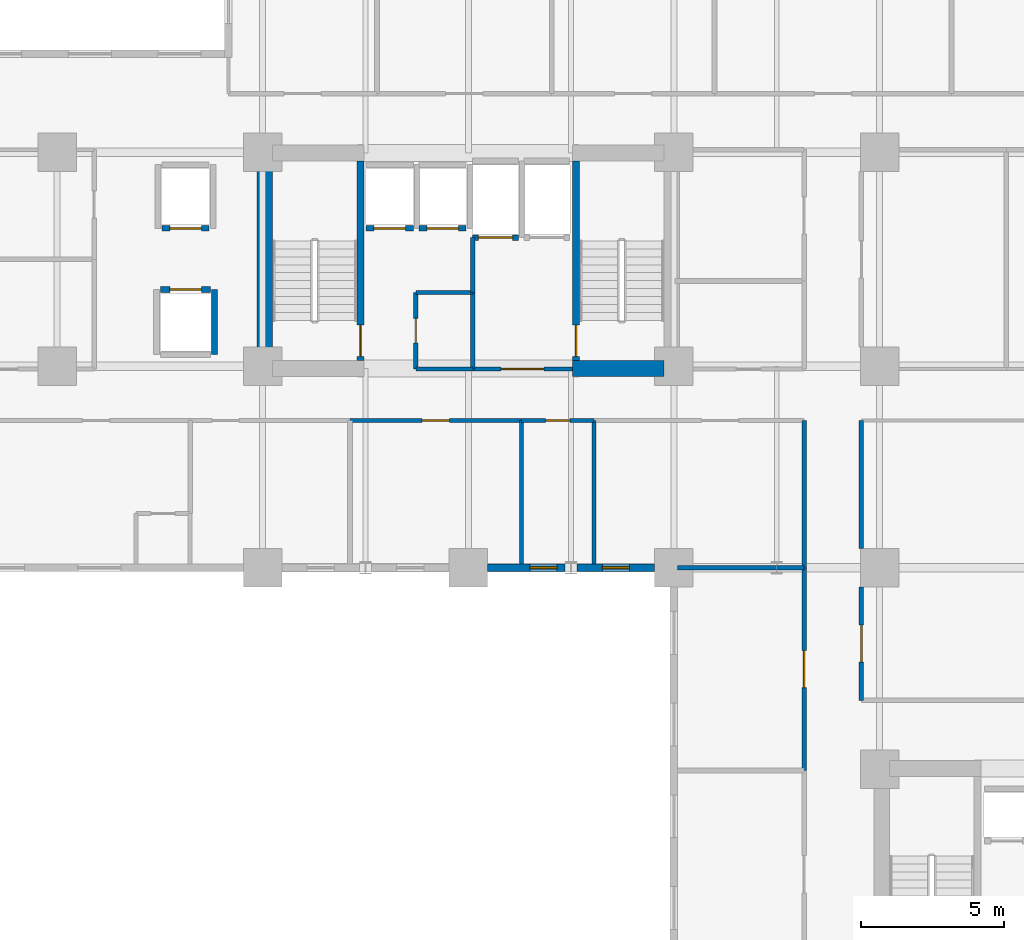
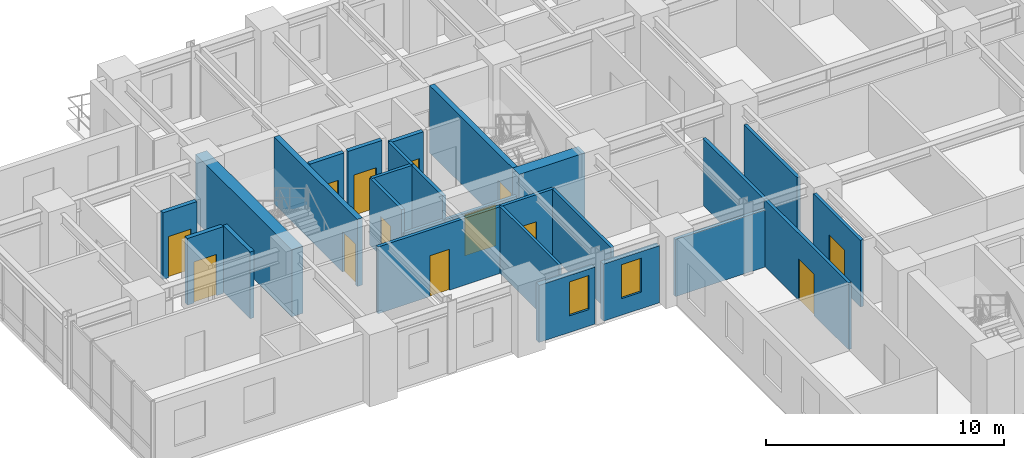
# One storey, part 9 of 17: 27 walls, 13 doors, 2 windows, 15 openings.
"""IFC4 building model written with IfcOpenShell, lengths in metres."""

import ifcopenshell
import ifcopenshell.guid

model = None  # the IFC model being written
_history = None  # IfcOwnerHistory: only IFC2X3 demands one
_inside = {}  # id of a spatial element -> (the spatial element, [elements in it])
_under = {}  # id of a project, library or spatial element -> (it, [spatial elements below it])
_declared = {}  # id of a project -> (the project, [libraries it declares])
_typed = {}  # id of a type object -> (the type object, [elements of that type])
_made_of = {}  # id of a material, layer set ... -> (it, [elements and type objects made of it])


def new_model(schema):
    """Start an empty IFC model of exactly this schema.

    Asked for "IFC4X3", IfcOpenShell would pick the latest addendum, in which some entities
    have other attributes; the version numbers below select the first issue.
    IFC2X3 requires an IfcOwnerHistory on every rooted entity: one is made here for all.
    """
    global model, _history
    if schema == "IFC4X3":
        model = ifcopenshell.file(schema_version=(4, 3, 0, 0))
    else:
        model = ifcopenshell.file(schema=schema)
    _inside.clear()
    _under.clear()
    _declared.clear()
    _typed.clear()
    _made_of.clear()
    _history = None
    if model.schema == "IFC2X3":
        org = make("IfcOrganization", Name="unknown")
        user = make(
            "IfcPersonAndOrganization",
            ThePerson=make("IfcPerson", FamilyName="unknown"),
            TheOrganization=org,
        )
        app = make(
            "IfcApplication",
            ApplicationDeveloper=org,
            Version="unknown",
            ApplicationFullName="unknown",
            ApplicationIdentifier="unknown",
        )
        _history = make(
            "IfcOwnerHistory",
            OwningUser=user,
            OwningApplication=app,
            ChangeAction="ADDED",
            CreationDate=0,
        )
    return model


def make(cls, **values):
    """One entity of the class cls with the attributes given. An attribute that is None is left unset."""
    return model.create_entity(
        cls, **{name: value for name, value in values.items() if value is not None}
    )


def rooted(cls, **values):
    """An entity with a GlobalId (a new one), such as an element, a storey or a relation."""
    return make(cls, GlobalId=ifcopenshell.guid.new(), OwnerHistory=_history, **values)


def si_unit(unit_type, name, prefix=None):
    """IfcSIUnit, for example si_unit("LENGTHUNIT", "METRE", prefix="MILLI")."""
    return make("IfcSIUnit", UnitType=unit_type, Prefix=prefix, Name=name)


def assignment(units):
    """IfcUnitAssignment: the units of a project."""
    return None if units is None else make("IfcUnitAssignment", Units=units)


def point(xyz):
    """IfcCartesianPoint."""
    return None if xyz is None else make("IfcCartesianPoint", Coordinates=xyz)


def direction(xyz):
    """IfcDirection."""
    return None if xyz is None else make("IfcDirection", DirectionRatios=xyz)


def frame(location, z_axis=None, x_axis=None):
    """IfcAxis2Placement3D, a coordinate frame: its origin and axes. An axis left out is left unset."""
    return make(
        "IfcAxis2Placement3D",
        Location=point(location),
        Axis=direction(z_axis),
        RefDirection=direction(x_axis),
    )


def frame_2d(location, x_axis=None):
    """IfcAxis2Placement2D, a coordinate frame in the plane: its origin and x axis."""
    return make(
        "IfcAxis2Placement2D", Location=point(location), RefDirection=direction(x_axis)
    )


def origin():
    """The frame at (0, 0, 0) with its axes left unset."""
    return frame((0.0, 0.0, 0.0))


def place(relative_to, where):
    """IfcLocalPlacement: puts the frame where relative to a parent placement (None: the world)."""
    return make(
        "IfcLocalPlacement", PlacementRelTo=relative_to, RelativePlacement=where
    )


def context(
    kind, dimensions, precision=None, world=None, true_north=None, identifier=None
):
    """IfcGeometricRepresentationContext, for example the 3D "Model" context."""
    return make(
        "IfcGeometricRepresentationContext",
        ContextIdentifier=identifier,
        ContextType=kind,
        CoordinateSpaceDimension=dimensions,
        Precision=precision,
        WorldCoordinateSystem=world,
        TrueNorth=true_north,
    )


def subcontext(parent, identifier, kind, view, scale=None):
    """IfcGeometricRepresentationSubContext, for example "Body" below "Model"."""
    return make(
        "IfcGeometricRepresentationSubContext",
        ContextIdentifier=identifier,
        ContextType=kind,
        ParentContext=parent,
        TargetScale=scale,
        TargetView=view,
    )


def project(units=None, contexts=None):
    """IfcProject with its units and contexts."""
    return rooted(
        "IfcProject",
        Name="project",
        RepresentationContexts=contexts,
        UnitsInContext=assignment(units),
    )


def spatial(cls, under=None, at=None, **own):
    """A site, building, storey or space (cls), placed at a placement, below another one or the project."""
    s = rooted(cls, ObjectPlacement=at, **own)
    if under is not None:
        _under.setdefault(under.id(), (under, []))[1].append(s)
    return s


def profile(cls, at=None, kind="AREA", **sizes):
    """A parametric profile (cls). Its sizes go by their IFC names, for example OverallWidth=200.0."""
    return make(cls, ProfileType=kind, Position=at, **sizes)


def rectangle(**sizes):
    """IfcRectangleProfileDef."""
    return profile("IfcRectangleProfileDef", **sizes)


def extrude(swept, where, along, depth):
    """IfcExtrudedAreaSolid: the profile swept, set in the frame where, extruded along a direction by depth."""
    return make(
        "IfcExtrudedAreaSolid",
        SweptArea=swept,
        Position=where,
        ExtrudedDirection=direction(along),
        Depth=depth,
    )


def shape(context_of_items, identifier, shape_type, items):
    """IfcShapeRepresentation: the items that make up one representation, for example the "Body"."""
    return make(
        "IfcShapeRepresentation",
        ContextOfItems=context_of_items,
        RepresentationIdentifier=identifier,
        RepresentationType=shape_type,
        Items=items,
    )


def material(Name=None, Category=None):
    """IfcMaterial."""
    return make("IfcMaterial", Name=Name, Category=Category)


def layer(
    of_material, thickness, ventilated=None, Name=None, Category=None, Priority=None
):
    """IfcMaterialLayer: one layer of a wall or slab, of a material (None: an air gap)."""
    return make(
        "IfcMaterialLayer",
        Material=of_material,
        LayerThickness=thickness,
        IsVentilated=ventilated,
        Name=Name,
        Category=Category,
        Priority=Priority,
    )


def layer_set(layers, Name=None):
    """IfcMaterialLayerSet."""
    return make("IfcMaterialLayerSet", MaterialLayers=layers, LayerSetName=Name)


def made_of(thing, what):
    """Note that an element or type object is made of a material, layer set ...; save() writes the relation."""
    if what is not None:
        _made_of.setdefault(what.id(), (what, []))[1].append(thing)
    return thing


def type_object(cls, material=None, **own):
    """A type object (cls), such as IfcWallType, which elements share."""
    return made_of(rooted(cls, **own), material)


def element(
    cls,
    number,
    at=None,
    inside=None,
    cuts=None,
    type_object=None,
    material=None,
    context=None,
    identifier="Body",
    shape_type=None,
    held_by="IfcProductDefinitionShape",
    body=None,
    shapes=None,
    **own,
):
    """One element of the class cls, such as IfcWall. Its Tag is "e" and its number.

    at: its placement. inside: the storey or other place that contains it. cuts: it is an
    opening in that element (IfcRelVoidsElement). A single representation is given by context,
    identifier, shape_type and body (its items); several are given by shapes. held_by: the class
    of the entity that holds the representations. save() writes the other relations.
    """
    e = rooted(cls, Tag="e%d" % number, ObjectPlacement=at, **own)
    if body is not None:
        shapes = [shape(context, identifier, shape_type, body)]
    if shapes is not None:
        e.Representation = make(held_by, Representations=shapes)
    if inside is not None:
        _inside.setdefault(inside.id(), (inside, []))[1].append(e)
    if cuts is not None:
        rooted(
            "IfcRelVoidsElement", RelatingBuildingElement=cuts, RelatedOpeningElement=e
        )
    if type_object is not None:
        _typed.setdefault(type_object.id(), (type_object, []))[1].append(e)
    return made_of(e, material)


def fill(opening, filler):
    """IfcRelFillsElement: the door or window that sits in an opening."""
    return rooted(
        "IfcRelFillsElement",
        RelatingOpeningElement=opening,
        RelatedBuildingElement=filler,
    )


def aggregate(whole, parts):
    """IfcRelAggregates: a whole, such as a stair, and the parts it consists of."""
    return rooted("IfcRelAggregates", RelatingObject=whole, RelatedObjects=parts)


def save(model, path):
    """Write the relations noted so far, then the file.

    IfcRelAggregates (storeys below a building ...), IfcRelContainedInSpatialStructure (elements
    in a storey), IfcRelDefinesByType, IfcRelAssociatesMaterial and IfcRelDeclares: one each for
    every whole, place, type object, material and project.
    """
    for whole, parts in _under.values():
        aggregate(whole, parts)
    for where, things in _inside.values():
        rooted(
            "IfcRelContainedInSpatialStructure",
            RelatedElements=things,
            RelatingStructure=where,
        )
    for kind, things in _typed.values():
        rooted("IfcRelDefinesByType", RelatedObjects=things, RelatingType=kind)
    for what, things in _made_of.values():
        rooted("IfcRelAssociatesMaterial", RelatedObjects=things, RelatingMaterial=what)
    for by, libraries in _declared.values():
        rooted("IfcRelDeclares", RelatingContext=by, RelatedDefinitions=libraries)
    model.write(path)


model = new_model("IFC4")

# Units and contexts
model_context = context("Model", 3, precision=1e-05, world=origin(), true_north=direction((0.0, 1.0)))
body_context = subcontext(model_context, "Body", "Model", "MODEL_VIEW")
ifc_project = project(units=[si_unit("LENGTHUNIT", "METRE"), si_unit("AREAUNIT", "SQUARE_METRE"), si_unit("VOLUMEUNIT", "CUBIC_METRE"), si_unit("PLANEANGLEUNIT", "RADIAN"), si_unit("MASSUNIT", "GRAM", prefix="KILO")], contexts=[model_context])

# Site, building, storey
site_placement = place(None, origin())
site = spatial("IfcSite", under=ifc_project, at=site_placement, CompositionType="ELEMENT")
building_placement = place(site_placement, origin())
building = spatial("IfcBuilding", under=site, at=building_placement, Name="Kaliganga Portal Commons", CompositionType="ELEMENT")
storey_placement = place(building_placement, frame((0.0, 0.0, 62.300048828125)))
storey = spatial("IfcBuildingStorey", under=building, at=storey_placement, Name="L15", CompositionType="ELEMENT", Elevation=62.300048828125)

# Walls
ifc_material_1 = material(Name="Concrete C60/75", Category="concrete")
ifc_layer_1 = layer(ifc_material_1, 0.550048828125)
ifc_layer_set_1 = layer_set([ifc_layer_1], Name="Concrete C60/75")
wall_type_1 = type_object("IfcWallType", Name="WL-CORE-550", PredefinedType="SHEAR", material=ifc_layer_set_1)
wall_1_placement = place(storey_placement, frame((14.47509765625, 28.300048828125, 0.0), z_axis=(0.0, 0.0, 1.0), x_axis=(0.0, 1.0, 0.0)))
element("IfcWall", 1, at=wall_1_placement, inside=storey, type_object=wall_type_1, Name="Core A West Shear Wall L15", PredefinedType="SHEAR", context=body_context, shape_type="SweptSolid", body=[
    extrude(rectangle(XDim=8.099853515625, YDim=0.550048828125, at=frame_2d((4.0498046875, 0.0))), origin(), (0.0, 0.0, 1.0), 3.449951171875),
])
wall_2_placement = place(storey_placement, frame((25.25, 28.574951171875, 0.0), z_axis=(0.0, 0.0, 1.0), x_axis=(1.0, 0.0, 0.0)))
element("IfcWall", 2, at=wall_2_placement, inside=storey, type_object=wall_type_1, Name="Core A S-East Shear Wall L15", PredefinedType="SHEAR", context=body_context, shape_type="SweptSolid", body=[
    extrude(rectangle(XDim=3.199951171875, YDim=0.550048828125, at=frame_2d((1.60009765625, 0.0))), origin(), (0.0, 0.0, 1.0), 3.449951171875),
])

# Wall, opening, window
ifc_material_2 = material(Name="Insulated Aluminium-Clad Spandrel Assembly", Category="aluminium")
ifc_layer_2 = layer(ifc_material_2, 0.260009765625)
ifc_layer_set_2 = layer_set([ifc_layer_2], Name="Insulated Aluminium-Clad Spandrel Assembly")
wall_type_2 = type_object("IfcWallType", Name="WL-EXT-SPAND-260", PredefinedType="STANDARD", material=ifc_layer_set_2)
wall_3_placement = place(storey_placement, frame((24.990966796875, 21.60009765625, 0.0), z_axis=(0.0, 0.0, 1.0), x_axis=(-1.0, 0.0, 0.0)))
wall_3 = element("IfcWall", 3, at=wall_3_placement, inside=storey, type_object=wall_type_2, Name="Exterior Envelope Wall L15 P1-E10-S4", PredefinedType="STANDARD", context=body_context, shape_type="SweptSolid", body=[
    extrude(rectangle(XDim=2.715087890625, YDim=0.260009765625, at=frame_2d((1.357421875, 0.0))), origin(), (0.0, 0.0, 1.0), 2.929931640625),
])
opening_1_placement = place(wall_3_placement, frame((0.28515625, 0.0, 0.85009765625)))
opening_1 = element("IfcOpeningElement", 4, at=opening_1_placement, cuts=wall_3, Name="Opening W-04", PredefinedType="OPENING", context=body_context, shape_type="SweptSolid", body=[
    extrude(rectangle(XDim=0.949951171875, YDim=1.75, at=frame_2d((0.47509765625, 0.875))), frame((0.0, 0.14013671875, 0.0), z_axis=(0.0, -1.0, 0.0), x_axis=(1.0, 0.0, 0.0)), (0.0, 0.0, 1.0), 0.280029296875),
])
ifc_material_3 = material(Name="Thermally Broken Aluminium and Low-E Double Glazing", Category="aluminium")
window_type = type_object("IfcWindowType", Name="WIN-NARROW-950", PartitioningType="SINGLE_PANEL", PredefinedType="WINDOW", material=ifc_material_3)
window_1_placement = place(opening_1_placement, origin())
window_1 = element("IfcWindow", 5, at=window_1_placement, inside=storey, type_object=window_type, Name="Facade Window L15-P1E10S4-N3", OverallHeight=1.75, OverallWidth=0.949951171875, PartitioningType="SINGLE_PANEL", PredefinedType="WINDOW", context=body_context, shape_type="SweptSolid", body=[
    extrude(rectangle(XDim=0.949951171875, YDim=1.75, at=frame_2d((0.47509765625, 0.875))), frame((0.0, 0.030029296875, 0.0), z_axis=(0.0, -1.0, 0.0), x_axis=(1.0, 0.0, 0.0)), (0.0, 0.0, 1.0), 0.06005859375),
])
fill(opening_1, window_1)

wall_4_placement = place(storey_placement, frame((28.1240234375, 21.60009765625, 0.0), z_axis=(0.0, 0.0, 1.0), x_axis=(-1.0, 0.0, 0.0)))
wall_4 = element("IfcWall", 6, at=wall_4_placement, inside=storey, type_object=wall_type_2, Name="Exterior Envelope Wall L15 P1-E10-S5", PredefinedType="STANDARD", context=body_context, shape_type="SweptSolid", body=[
    extrude(rectangle(XDim=2.715087890625, YDim=0.260009765625, at=frame_2d((1.357421875, 0.0))), origin(), (0.0, 0.0, 1.0), 2.929931640625),
])
opening_2_placement = place(wall_4_placement, frame((0.882568359375, 0.0, 0.85009765625)))
opening_2 = element("IfcOpeningElement", 7, at=opening_2_placement, cuts=wall_4, Name="Opening W-04", PredefinedType="OPENING", context=body_context, shape_type="SweptSolid", body=[
    extrude(rectangle(XDim=0.949951171875, YDim=1.75, at=frame_2d((0.47509765625, 0.875))), frame((0.0, 0.14013671875, 0.0), z_axis=(0.0, -1.0, 0.0), x_axis=(1.0, 0.0, 0.0)), (0.0, 0.0, 1.0), 0.280029296875),
])
window_2_placement = place(opening_2_placement, origin())
window_2 = element("IfcWindow", 8, at=window_2_placement, inside=storey, type_object=window_type, Name="Facade Window L15-P1E10S5-00", OverallHeight=1.75, OverallWidth=0.949951171875, PartitioningType="SINGLE_PANEL", PredefinedType="WINDOW", context=body_context, shape_type="SweptSolid", body=[
    extrude(rectangle(XDim=0.949951171875, YDim=1.75, at=frame_2d((0.47509765625, 0.875))), frame((0.0, 0.030029296875, 0.0), z_axis=(0.0, -1.0, 0.0), x_axis=(1.0, 0.0, 0.0)), (0.0, 0.0, 1.0), 0.06005859375),
])
fill(opening_2, window_2)

# Wall, opening, door
ifc_material_4 = material(Name="Fire-Rated Gypsum Board on Steel Stud", Category="steel")
ifc_layer_3 = layer(ifc_material_4, 0.14990234375)
ifc_layer_set_3 = layer_set([ifc_layer_3], Name="Fire-Rated Gypsum Board on Steel Stud")
wall_type_3 = type_object("IfcWallType", Name="WL-PART-CORR-150", PredefinedType="PARTITIONING", material=ifc_layer_set_3)
wall_5_placement = place(storey_placement, frame((35.360107421875, 16.9599609375, 0.0), z_axis=(0.0, 0.0, 1.0), x_axis=(0.0, 1.0, 0.0)))
wall_5 = element("IfcWall", 9, at=wall_5_placement, inside=storey, type_object=wall_type_3, Name="Interior Partition L15-004", PredefinedType="PARTITIONING", context=body_context, shape_type="SweptSolid", body=[
    extrude(rectangle(XDim=3.965087890625, YDim=0.14990234375, at=frame_2d((1.982421875, 0.0))), origin(), (0.0, 0.0, 1.0), 3.429931640625),
])
opening_3_placement = place(wall_5_placement, frame((1.33251953125, 0.0, 0.0)))
opening_3 = element("IfcOpeningElement", 10, at=opening_3_placement, cuts=wall_5, Name="Opening RD-03", PredefinedType="OPENING", context=body_context, shape_type="SweptSolid", body=[
    extrude(rectangle(XDim=1.300048828125, YDim=2.1201171875, at=frame_2d((0.64990234375, 1.06005859375))), frame((0.0, 0.0849609375, 0.0), z_axis=(0.0, -1.0, 0.0), x_axis=(1.0, 0.0, 0.0)), (0.0, 0.0, 1.0), 0.169921875),
])
ifc_material_5 = material(Name="Glazed Timber Seminar Vision Door", Category="wood")
door_type_1 = type_object("IfcDoorType", Name="DR-STUDY-1300", OperationType="DOUBLE_DOOR_SINGLE_SWING", PredefinedType="DOOR", material=ifc_material_5)
door_1_placement = place(opening_3_placement, origin())
door_1 = element("IfcDoor", 11, at=door_1_placement, inside=storey, type_object=door_type_1, Name="Interior Door L15-BM01", OperationType="DOUBLE_DOOR_SINGLE_SWING", OverallHeight=2.1201171875, OverallWidth=1.300048828125, PredefinedType="DOOR", context=body_context, shape_type="SweptSolid", body=[
    extrude(rectangle(XDim=1.300048828125, YDim=2.1201171875, at=frame_2d((0.64990234375, 1.06005859375))), frame((0.0, 0.02490234375, 0.0), z_axis=(0.0, -1.0, 0.0), x_axis=(1.0, 0.0, 0.0)), (0.0, 0.0, 1.0), 0.050048828125),
])
fill(opening_3, door_1)

# Wall
wall_6_placement = place(storey_placement, frame((35.360107421875, 22.27490234375, 0.0), z_axis=(0.0, 0.0, 1.0), x_axis=(0.0, 1.0, 0.0)))
element("IfcWall", 12, at=wall_6_placement, inside=storey, type_object=wall_type_3, Name="Interior Partition L15-005", PredefinedType="PARTITIONING", context=body_context, shape_type="SweptSolid", body=[
    extrude(rectangle(XDim=4.485107421875, YDim=0.14990234375, at=frame_2d((2.24267578125, 0.0))), origin(), (0.0, 0.0, 1.0), 3.429931640625),
])

# Wall, opening, door
wall_7_placement = place(storey_placement, frame((33.360107421875, 14.5, 0.0), z_axis=(0.0, 0.0, 1.0), x_axis=(0.0, 1.0, 0.0)))
wall_7 = element("IfcWall", 13, at=wall_7_placement, inside=storey, type_object=wall_type_3, Name="Interior Partition L15-014", PredefinedType="PARTITIONING", context=body_context, shape_type="SweptSolid", body=[
    extrude(rectangle(XDim=7.10009765625, YDim=0.14990234375, at=frame_2d((3.550048828125, 0.0))), origin(), (0.0, 0.0, 1.0), 3.429931640625),
])
opening_4_placement = place(wall_7_placement, frame((2.89990234375, 0.0, 0.0)))
opening_4 = element("IfcOpeningElement", 14, at=opening_4_placement, cuts=wall_7, Name="Opening RD-03", PredefinedType="OPENING", context=body_context, shape_type="SweptSolid", body=[
    extrude(rectangle(XDim=1.300048828125, YDim=2.1201171875, at=frame_2d((0.64990234375, 1.06005859375))), frame((0.0, 0.0849609375, 0.0), z_axis=(0.0, -1.0, 0.0), x_axis=(1.0, 0.0, 0.0)), (0.0, 0.0, 1.0), 0.169921875),
])
door_2_placement = place(opening_4_placement, origin())
door_2 = element("IfcDoor", 15, at=door_2_placement, inside=storey, type_object=door_type_1, Name="Interior Door L15-KW02", OperationType="DOUBLE_DOOR_SINGLE_SWING", OverallHeight=2.1201171875, OverallWidth=1.300048828125, PredefinedType="DOOR", context=body_context, shape_type="SweptSolid", body=[
    extrude(rectangle(XDim=1.300048828125, YDim=2.1201171875, at=frame_2d((0.64990234375, 1.06005859375))), frame((0.0, 0.02490234375, 0.0), z_axis=(0.0, -1.0, 0.0), x_axis=(1.0, 0.0, 0.0)), (0.0, 0.0, 1.0), 0.050048828125),
])
fill(opening_4, door_2)

wall_8_placement = place(storey_placement, frame((17.4599609375, 26.760009765625, 0.0), z_axis=(0.0, 0.0, 1.0), x_axis=(1.0, 0.0, 0.0)))
wall_8 = element("IfcWall", 16, at=wall_8_placement, inside=storey, type_object=wall_type_3, Name="Interior Partition L15-022", PredefinedType="PARTITIONING", context=body_context, shape_type="SweptSolid", body=[
    extrude(rectangle(XDim=6.0, YDim=0.14990234375, at=frame_2d((3.0, 0.0))), origin(), (0.0, 0.0, 1.0), 3.429931640625),
])
opening_5_placement = place(wall_8_placement, frame((2.52490234375, 0.0, 0.0)))
opening_5 = element("IfcOpeningElement", 17, at=opening_5_placement, cuts=wall_8, Name="Opening UD-01", PredefinedType="OPENING", context=body_context, shape_type="SweptSolid", body=[
    extrude(rectangle(XDim=0.949951171875, YDim=2.10009765625, at=frame_2d((0.47509765625, 1.050048828125))), frame((0.0, 0.0849609375, 0.0), z_axis=(0.0, -1.0, 0.0), x_axis=(1.0, 0.0, 0.0)), (0.0, 0.0, 1.0), 0.169921875),
])
ifc_material_6 = material(Name="Solid-Core Timber Acoustic Fire Door", Category="wood")
door_type_2 = type_object("IfcDoorType", Name="DR-UNIT-950", OperationType="NOTDEFINED", PredefinedType="DOOR", material=ifc_material_6)
door_3_placement = place(opening_5_placement, origin())
door_3 = element("IfcDoor", 18, at=door_3_placement, inside=storey, type_object=door_type_2, Name="Interior Door L15-AS03", OperationType="SINGLE_SWING_LEFT", OverallHeight=2.10009765625, OverallWidth=0.949951171875, PredefinedType="DOOR", context=body_context, shape_type="SweptSolid", body=[
    extrude(rectangle(XDim=0.949951171875, YDim=2.10009765625, at=frame_2d((0.47509765625, 1.050048828125))), frame((0.0, 0.02490234375, 0.0), z_axis=(0.0, -1.0, 0.0), x_axis=(1.0, 0.0, 0.0)), (0.0, 0.0, 1.0), 0.050048828125),
])
fill(opening_5, door_3)

# Wall
wall_9_placement = place(storey_placement, frame((33.360107421875, 21.60009765625, 0.0), z_axis=(0.0, 0.0, 1.0), x_axis=(0.0, 1.0, 0.0)))
element("IfcWall", 19, at=wall_9_placement, inside=storey, type_object=wall_type_3, Name="Interior Partition L15-027", PredefinedType="PARTITIONING", context=body_context, shape_type="SweptSolid", body=[
    extrude(rectangle(XDim=5.159912109375, YDim=0.14990234375, at=frame_2d((2.580078125, 0.0))), origin(), (0.0, 0.0, 1.0), 3.429931640625),
])

# Wall, opening, door
wall_10_placement = place(storey_placement, frame((19.760009765625, 28.56005859375, 0.0), z_axis=(0.0, 0.0, 1.0), x_axis=(0.0, 1.0, 0.0)))
wall_10 = element("IfcWall", 20, at=wall_10_placement, inside=storey, type_object=wall_type_3, Name="Interior Partition L15-042", PredefinedType="PARTITIONING", context=body_context, shape_type="SweptSolid", body=[
    extrude(rectangle(XDim=2.679931640625, YDim=0.14990234375, at=frame_2d((1.33984375, 0.0))), origin(), (0.0, 0.0, 1.0), 3.429931640625),
])
opening_6_placement = place(wall_10_placement, frame((0.909912109375, 0.0, 0.0)))
opening_6 = element("IfcOpeningElement", 21, at=opening_6_placement, cuts=wall_10, Name="Opening WD-02", PredefinedType="OPENING", context=body_context, shape_type="SweptSolid", body=[
    extrude(rectangle(XDim=0.860107421875, YDim=2.02001953125, at=frame_2d((0.43017578125, 1.010009765625))), frame((0.0, 0.0849609375, 0.0), z_axis=(0.0, -1.0, 0.0), x_axis=(1.0, 0.0, 0.0)), (0.0, 0.0, 1.0), 0.169921875),
])
ifc_material_7 = material(Name="Fire-Rated Utility Closet Door", Category="wood")
door_type_3 = type_object("IfcDoorType", Name="DR-STORE-800", OperationType="NOTDEFINED", PredefinedType="DOOR", material=ifc_material_7)
door_4_placement = place(opening_6_placement, origin())
door_4 = element("IfcDoor", 22, at=door_4_placement, inside=storey, type_object=door_type_3, Name="Interior Door L15-CIN_A1", OperationType="SINGLE_SWING_RIGHT", OverallHeight=2.02001953125, OverallWidth=0.860107421875, PredefinedType="DOOR", context=body_context, shape_type="SweptSolid", body=[
    extrude(rectangle(XDim=0.860107421875, YDim=2.02001953125, at=frame_2d((0.43017578125, 1.010009765625))), frame((0.0, 0.02490234375, 0.0), z_axis=(0.0, -1.0, 0.0), x_axis=(1.0, 0.0, 0.0)), (0.0, 0.0, 1.0), 0.050048828125),
])
fill(opening_6, door_4)

# Wall
wall_11_placement = place(storey_placement, frame((21.760009765625, 28.56005859375, 0.0), z_axis=(0.0, 0.0, 1.0), x_axis=(0.0, 1.0, 0.0)))
element("IfcWall", 23, at=wall_11_placement, inside=storey, type_object=wall_type_3, Name="Interior Partition L15-043", PredefinedType="PARTITIONING", context=body_context, shape_type="SweptSolid", body=[
    extrude(rectangle(XDim=2.679931640625, YDim=0.14990234375, at=frame_2d((1.33984375, 0.0))), origin(), (0.0, 0.0, 1.0), 3.429931640625),
])

# Wall, opening, door
wall_12_placement = place(storey_placement, frame((23.4599609375, 26.760009765625, 0.0), z_axis=(0.0, 0.0, 1.0), x_axis=(1.0, 0.0, 0.0)))
wall_12 = element("IfcWall", 24, at=wall_12_placement, inside=storey, type_object=wall_type_3, Name="Interior Partition L15-044", PredefinedType="PARTITIONING", context=body_context, shape_type="SweptSolid", body=[
    extrude(rectangle(XDim=2.5400390625, YDim=0.14990234375, at=frame_2d((1.27001953125, 0.0))), origin(), (0.0, 0.0, 1.0), 3.429931640625),
])
opening_7_placement = place(wall_12_placement, frame((0.844970703125, 0.0, 0.0)))
opening_7 = element("IfcOpeningElement", 25, at=opening_7_placement, cuts=wall_12, Name="Opening WD-01", PredefinedType="OPENING", context=body_context, shape_type="SweptSolid", body=[
    extrude(rectangle(XDim=0.85009765625, YDim=2.0400390625, at=frame_2d((0.425048828125, 1.02001953125))), frame((0.0, 0.0849609375, 0.0), z_axis=(0.0, -1.0, 0.0), x_axis=(1.0, 0.0, 0.0)), (0.0, 0.0, 1.0), 0.169921875),
])
ifc_material_8 = material(Name="Moisture-Resistant Laminate Timber Door", Category="wood")
door_type_4 = type_object("IfcDoorType", Name="DR-WET-850", OperationType="NOTDEFINED", PredefinedType="DOOR", material=ifc_material_8)
door_5_placement = place(opening_7_placement, origin())
door_5 = element("IfcDoor", 26, at=door_5_placement, inside=storey, type_object=door_type_4, Name="Interior Door L15-AS04", OperationType="SINGLE_SWING_LEFT", OverallHeight=2.0400390625, OverallWidth=0.85009765625, PredefinedType="DOOR", context=body_context, shape_type="SweptSolid", body=[
    extrude(rectangle(XDim=0.85009765625, YDim=2.0400390625, at=frame_2d((0.425048828125, 1.02001953125))), frame((0.0, 0.02490234375, 0.0), z_axis=(0.0, -1.0, 0.0), x_axis=(1.0, 0.0, 0.0)), (0.0, 0.0, 1.0), 0.050048828125),
])
fill(opening_7, door_5)

# Walls
wall_13_placement = place(storey_placement, frame((19.760009765625, 28.56005859375, 0.0), z_axis=(0.0, 0.0, 1.0), x_axis=(1.0, 0.0, 0.0)))
element("IfcWall", 27, at=wall_13_placement, inside=storey, type_object=wall_type_3, Name="Interior Partition L15-045", PredefinedType="PARTITIONING", context=body_context, shape_type="SweptSolid", body=[
    extrude(rectangle(XDim=2.0, YDim=0.14990234375, at=frame_2d((1.0, 0.0))), origin(), (0.0, 0.0, 1.0), 2.22998046875),
])
wall_14_placement = place(storey_placement, frame((19.760009765625, 31.239990234375, 0.0), z_axis=(0.0, 0.0, 1.0), x_axis=(1.0, 0.0, 0.0)))
element("IfcWall", 28, at=wall_14_placement, inside=storey, type_object=wall_type_3, Name="Interior Partition L15-046", PredefinedType="PARTITIONING", context=body_context, shape_type="SweptSolid", body=[
    extrude(rectangle(XDim=2.0, YDim=0.14990234375, at=frame_2d((1.0, 0.0))), origin(), (0.0, 0.0, 1.0), 3.429931640625),
])

# Wall, opening, door
wall_15_placement = place(storey_placement, frame((21.760009765625, 28.56005859375, 0.0), z_axis=(0.0, 0.0, 1.0), x_axis=(1.0, 0.0, 0.0)))
wall_15 = element("IfcWall", 29, at=wall_15_placement, inside=storey, type_object=wall_type_3, Name="Interior Partition L15-080", PredefinedType="PARTITIONING", context=body_context, shape_type="SweptSolid", body=[
    extrude(rectangle(XDim=3.47998046875, YDim=0.14990234375, at=frame_2d((1.739990234375, 0.0))), origin(), (0.0, 0.0, 1.0), 2.22998046875),
])
opening_8_placement = place(wall_15_placement, frame((0.989990234375, 0.0, 0.0)))
opening_8 = element("IfcOpeningElement", 30, at=opening_8_placement, cuts=wall_15, Name="Opening FD-01", PredefinedType="OPENING", context=body_context, shape_type="SweptSolid", body=[
    extrude(rectangle(XDim=1.5, YDim=2.10009765625, at=frame_2d((0.75, 1.050048828125))), frame((0.0, 0.0849609375, 0.0), z_axis=(0.0, -1.0, 0.0), x_axis=(1.0, 0.0, 0.0)), (0.0, 0.0, 1.0), 0.169921875),
])
ifc_material_9 = material(Name="Fire-Rated Hardwood and Georgian-Wired Vision Panel", Category="wood")
door_type_5 = type_object("IfcDoorType", Name="DR-LOBBY-1500", OperationType="DOUBLE_DOOR_SINGLE_SWING", PredefinedType="DOOR", material=ifc_material_9)
door_6_placement = place(opening_8_placement, origin())
door_6 = element("IfcDoor", 31, at=door_6_placement, inside=storey, type_object=door_type_5, Name="Interior Door L15-FFLOB_A", OperationType="DOUBLE_DOOR_SINGLE_SWING", OverallHeight=2.10009765625, OverallWidth=1.5, PredefinedType="DOOR", context=body_context, shape_type="SweptSolid", body=[
    extrude(rectangle(XDim=1.5, YDim=2.10009765625, at=frame_2d((0.75, 1.050048828125))), frame((0.0, 0.02490234375, 0.0), z_axis=(0.0, -1.0, 0.0), x_axis=(1.0, 0.0, 0.0)), (0.0, 0.0, 1.0), 0.050048828125),
])
fill(opening_8, door_6)

# Walls
wall_16_placement = place(storey_placement, frame((21.760009765625, 31.239990234375, 0.0), z_axis=(0.0, 0.0, 1.0), x_axis=(0.0, 1.0, 0.0)))
element("IfcWall", 32, at=wall_16_placement, inside=storey, type_object=wall_type_3, Name="Interior Partition L15-082", PredefinedType="PARTITIONING", context=body_context, shape_type="SweptSolid", body=[
    extrude(rectangle(XDim=1.919921875, YDim=0.14990234375, at=frame_2d((0.9599609375, 0.0))), origin(), (0.0, 0.0, 1.0), 3.429931640625),
])
ifc_material_10 = material(Name="Twin-Stud Acoustic Gypsum Partition", Category="gypsum")
ifc_layer_4 = layer(ifc_material_10, 0.1650390625)
ifc_layer_set_4 = layer_set([ifc_layer_4], Name="Twin-Stud Acoustic Gypsum Partition")
wall_type_4 = type_object("IfcWallType", Name="WL-PART-UNIT-165", PredefinedType="PARTITIONING", material=ifc_layer_set_4)
wall_17_placement = place(storey_placement, frame((28.931884765625, 21.60009765625, 0.0), z_axis=(0.0, 0.0, 1.0), x_axis=(1.0, 0.0, 0.0)))
element("IfcWall", 33, at=wall_17_placement, inside=storey, type_object=wall_type_4, Name="Interior Partition L15-075", PredefinedType="PARTITIONING", context=body_context, shape_type="SweptSolid", body=[
    extrude(rectangle(XDim=4.42822265625, YDim=0.1650390625, at=frame_2d((2.214111328125, 0.0))), origin(), (0.0, 0.0, 1.0), 2.929931640625),
])
ifc_material_11 = material(Name="Cement-Board Wet-Room Partition", Category="gypsum")
ifc_layer_5 = layer(ifc_material_11, 0.135009765625)
ifc_layer_set_5 = layer_set([ifc_layer_5], Name="Cement-Board Wet-Room Partition")
wall_type_5 = type_object("IfcWallType", Name="WL-PART-WET-135", PredefinedType="PARTITIONING", material=ifc_layer_set_5)
for number, where, z_axis, x_axis, name in (
    (34, (23.4599609375, 21.73193359375, 0.0), (0.0, 0.0, 1.0), (0.0, 1.0, 0.0), "Interior Partition L15-060"),
    (35, (26.0, 21.73193359375, 0.0), (0.0, 0.0, 1.0), (0.0, 1.0, 0.0), "Interior Partition L15-061"),
):
    element("IfcWall", number, at=place(storey_placement, frame(where, z_axis=z_axis, x_axis=x_axis)), inside=storey, type_object=wall_type_5, Name=name, PredefinedType="PARTITIONING", context=body_context, shape_type="SweptSolid", body=[
        extrude(rectangle(XDim=5.028076171875, YDim=0.135009765625, at=frame_2d((2.51416015625, 0.0))), origin(), (0.0, 0.0, 1.0), 3.429931640625),
    ])

# Wall, opening, door
ifc_material_12 = material(Name="Fire-Rated Shaftwall Masonry Assembly", Category="masonry")
ifc_layer_6 = layer(ifc_material_12, 0.199951171875)
ifc_layer_set_6 = layer_set([ifc_layer_6], Name="Fire-Rated Shaftwall Masonry Assembly")
wall_type_6 = type_object("IfcWallType", Name="WL-SHAFT-200", PredefinedType="PARTITIONING", material=ifc_layer_set_6)
wall_18_placement = place(storey_placement, frame((18.02490234375, 33.485107421875, 0.0), z_axis=(0.0, 0.0, 1.0), x_axis=(1.0, 0.0, 0.0)))
wall_18 = element("IfcWall", 36, at=wall_18_placement, inside=storey, type_object=wall_type_6, Name="Lift PL-A1 Hoistway Shaft Wall L15-S", PredefinedType="PARTITIONING", context=body_context, shape_type="SweptSolid", body=[
    extrude(rectangle(XDim=1.650146484375, YDim=0.199951171875, at=frame_2d((0.8251953125, 0.0))), origin(), (0.0, 0.0, 1.0), 3.429931640625),
])
opening_9_placement = place(wall_18_placement, frame((0.27490234375, 0.0, 0.0)))
opening_9 = element("IfcOpeningElement", 37, at=opening_9_placement, cuts=wall_18, Name="Opening LD-01", PredefinedType="OPENING", context=body_context, shape_type="SweptSolid", body=[
    extrude(rectangle(XDim=1.10009765625, YDim=2.1201171875, at=frame_2d((0.550048828125, 1.06005859375))), frame((0.0, 0.10986328125, 0.0), z_axis=(0.0, -1.0, 0.0), x_axis=(1.0, 0.0, 0.0)), (0.0, 0.0, 1.0), 0.219970703125),
])
ifc_material_13 = material(Name="Brushed Stainless Steel 316 Lift Landing Door", Category="steel")
door_type_6 = type_object("IfcDoorType", Name="DR-LIFT-1100", OperationType="SLIDING_TO_LEFT", PredefinedType="DOOR", material=ifc_material_13)
door_7_placement = place(opening_9_placement, origin())
door_7 = element("IfcDoor", 38, at=door_7_placement, inside=storey, type_object=door_type_6, Name="Lift PL-A1 Sliding Landing Door L15", OperationType="SLIDING_TO_LEFT", OverallHeight=2.1201171875, OverallWidth=1.10009765625, PredefinedType="DOOR", context=body_context, shape_type="SweptSolid", body=[
    extrude(rectangle(XDim=1.10009765625, YDim=2.1201171875, at=frame_2d((0.550048828125, 1.06005859375))), frame((0.0, 0.02490234375, 0.0), z_axis=(0.0, -1.0, 0.0), x_axis=(1.0, 0.0, 0.0)), (0.0, 0.0, 1.0), 0.050048828125),
])
fill(opening_9, door_7)

wall_19_placement = place(storey_placement, frame((19.875, 33.485107421875, 0.0), z_axis=(0.0, 0.0, 1.0), x_axis=(1.0, 0.0, 0.0)))
wall_19 = element("IfcWall", 39, at=wall_19_placement, inside=storey, type_object=wall_type_6, Name="Lift PL-A2 Hoistway Shaft Wall L15-S", PredefinedType="PARTITIONING", context=body_context, shape_type="SweptSolid", body=[
    extrude(rectangle(XDim=1.64990234375, YDim=0.199951171875, at=frame_2d((0.824951171875, 0.0))), origin(), (0.0, 0.0, 1.0), 3.429931640625),
])
opening_10_placement = place(wall_19_placement, frame((0.27490234375, 0.0, 0.0)))
opening_10 = element("IfcOpeningElement", 40, at=opening_10_placement, cuts=wall_19, Name="Opening LD-01", PredefinedType="OPENING", context=body_context, shape_type="SweptSolid", body=[
    extrude(rectangle(XDim=1.10009765625, YDim=2.1201171875, at=frame_2d((0.550048828125, 1.06005859375))), frame((0.0, 0.10986328125, 0.0), z_axis=(0.0, -1.0, 0.0), x_axis=(1.0, 0.0, 0.0)), (0.0, 0.0, 1.0), 0.219970703125),
])
door_8_placement = place(opening_10_placement, origin())
door_8 = element("IfcDoor", 41, at=door_8_placement, inside=storey, type_object=door_type_6, Name="Lift PL-A2 Sliding Landing Door L15", OperationType="SLIDING_TO_LEFT", OverallHeight=2.1201171875, OverallWidth=1.10009765625, PredefinedType="DOOR", context=body_context, shape_type="SweptSolid", body=[
    extrude(rectangle(XDim=1.10009765625, YDim=2.1201171875, at=frame_2d((0.550048828125, 1.06005859375))), frame((0.0, 0.02490234375, 0.0), z_axis=(0.0, -1.0, 0.0), x_axis=(1.0, 0.0, 0.0)), (0.0, 0.0, 1.0), 0.050048828125),
])
fill(opening_10, door_8)

wall_20_placement = place(storey_placement, frame((10.824951171875, 31.340087890625, 0.0), z_axis=(0.0, 0.0, 1.0), x_axis=(1.0, 0.0, 0.0)))
wall_20 = element("IfcWall", 42, at=wall_20_placement, inside=storey, type_object=wall_type_6, Name="Lift SH-1 Hoistway Shaft Wall L15-N", PredefinedType="PARTITIONING", context=body_context, shape_type="SweptSolid", body=[
    extrude(rectangle(XDim=1.75, YDim=0.199951171875, at=frame_2d((0.875, 0.0))), origin(), (0.0, 0.0, 1.0), 3.429931640625),
])
opening_11_placement = place(wall_20_placement, frame((0.324951171875, 0.0, 0.0)))
opening_11 = element("IfcOpeningElement", 43, at=opening_11_placement, cuts=wall_20, Name="Opening LD-01", PredefinedType="OPENING", context=body_context, shape_type="SweptSolid", body=[
    extrude(rectangle(XDim=1.10009765625, YDim=2.1201171875, at=frame_2d((0.550048828125, 1.06005859375))), frame((0.0, 0.10986328125, 0.0), z_axis=(0.0, -1.0, 0.0), x_axis=(1.0, 0.0, 0.0)), (0.0, 0.0, 1.0), 0.219970703125),
])
door_9_placement = place(opening_11_placement, origin())
door_9 = element("IfcDoor", 44, at=door_9_placement, inside=storey, type_object=door_type_6, Name="Lift SH-1 Sliding Landing Door L15", OperationType="SLIDING_TO_LEFT", OverallHeight=2.1201171875, OverallWidth=1.10009765625, PredefinedType="DOOR", context=body_context, shape_type="SweptSolid", body=[
    extrude(rectangle(XDim=1.10009765625, YDim=2.1201171875, at=frame_2d((0.550048828125, 1.06005859375))), frame((0.0, 0.02490234375, 0.0), z_axis=(0.0, -1.0, 0.0), x_axis=(1.0, 0.0, 0.0)), (0.0, 0.0, 1.0), 0.050048828125),
])
fill(opening_11, door_9)

# Wall
wall_21_placement = place(storey_placement, frame((12.715087890625, 29.06005859375, 0.0), z_axis=(0.0, 0.0, 1.0), x_axis=(0.0, 1.0, 0.0)))
element("IfcWall", 45, at=wall_21_placement, inside=storey, type_object=wall_type_6, Name="Lift SH-1 Hoistway Shaft Wall L15-E", PredefinedType="PARTITIONING", context=body_context, shape_type="SweptSolid", body=[
    extrude(rectangle(XDim=2.280029296875, YDim=0.199951171875, at=frame_2d((1.14013671875, 0.0))), origin(), (0.0, 0.0, 1.0), 3.429931640625),
])

# Wall, opening, door
wall_22_placement = place(storey_placement, frame((10.875, 33.485107421875, 0.0), z_axis=(0.0, 0.0, 1.0), x_axis=(1.0, 0.0, 0.0)))
wall_22 = element("IfcWall", 46, at=wall_22_placement, inside=storey, type_object=wall_type_6, Name="Lift PL-OBS Hoistway Shaft Wall L15-S", PredefinedType="PARTITIONING", context=body_context, shape_type="SweptSolid", body=[
    extrude(rectangle(XDim=1.64990234375, YDim=0.199951171875, at=frame_2d((0.824951171875, 0.0))), origin(), (0.0, 0.0, 1.0), 3.429931640625),
])
opening_12_placement = place(wall_22_placement, frame((0.27490234375, 0.0, 0.0)))
opening_12 = element("IfcOpeningElement", 47, at=opening_12_placement, cuts=wall_22, Name="Opening LD-01", PredefinedType="OPENING", context=body_context, shape_type="SweptSolid", body=[
    extrude(rectangle(XDim=1.10009765625, YDim=2.1201171875, at=frame_2d((0.550048828125, 1.06005859375))), frame((0.0, 0.10986328125, 0.0), z_axis=(0.0, -1.0, 0.0), x_axis=(1.0, 0.0, 0.0)), (0.0, 0.0, 1.0), 0.219970703125),
])
door_10_placement = place(opening_12_placement, origin())
door_10 = element("IfcDoor", 48, at=door_10_placement, inside=storey, type_object=door_type_6, Name="Lift PL-OBS Sliding Landing Door L15", OperationType="SLIDING_TO_LEFT", OverallHeight=2.1201171875, OverallWidth=1.10009765625, PredefinedType="DOOR", context=body_context, shape_type="SweptSolid", body=[
    extrude(rectangle(XDim=1.10009765625, YDim=2.1201171875, at=frame_2d((0.550048828125, 1.06005859375))), frame((0.0, 0.02490234375, 0.0), z_axis=(0.0, -1.0, 0.0), x_axis=(1.0, 0.0, 0.0)), (0.0, 0.0, 1.0), 0.050048828125),
])
fill(opening_12, door_10)

wall_23_placement = place(storey_placement, frame((21.75, 33.159912109375, 0.0), z_axis=(0.0, 0.0, 1.0), x_axis=(1.0, 0.0, 0.0)))
wall_23 = element("IfcWall", 49, at=wall_23_placement, inside=storey, type_object=wall_type_6, Name="Lift FFL-1 Hoistway Shaft Wall L15-S", PredefinedType="PARTITIONING", context=body_context, shape_type="SweptSolid", body=[
    extrude(rectangle(XDim=1.60009765625, YDim=0.199951171875, at=frame_2d((0.800048828125, 0.0))), origin(), (0.0, 0.0, 1.0), 3.429931640625),
])
opening_13_placement = place(wall_23_placement, frame((0.199951171875, 0.0, 0.0)))
opening_13 = element("IfcOpeningElement", 50, at=opening_13_placement, cuts=wall_23, Name="Opening LD-02", PredefinedType="OPENING", context=body_context, shape_type="SweptSolid", body=[
    extrude(rectangle(XDim=1.199951171875, YDim=2.1201171875, at=frame_2d((0.60009765625, 1.06005859375))), frame((0.0, 0.10986328125, 0.0), z_axis=(0.0, -1.0, 0.0), x_axis=(1.0, 0.0, 0.0)), (0.0, 0.0, 1.0), 0.219970703125),
])
ifc_material_14 = material(Name="Brushed Stainless Steel 316 Stretcher Lift Landing Door", Category="steel")
door_type_7 = type_object("IfcDoorType", Name="DR-LIFT-1200", OperationType="SLIDING_TO_RIGHT", PredefinedType="DOOR", material=ifc_material_14)
door_11_placement = place(opening_13_placement, origin())
door_11 = element("IfcDoor", 51, at=door_11_placement, inside=storey, type_object=door_type_7, Name="Lift FFL-1 Sliding Landing Door L15", OperationType="SLIDING_TO_RIGHT", OverallHeight=2.1201171875, OverallWidth=1.199951171875, PredefinedType="DOOR", context=body_context, shape_type="SweptSolid", body=[
    extrude(rectangle(XDim=1.199951171875, YDim=2.1201171875, at=frame_2d((0.60009765625, 1.06005859375))), frame((0.0, 0.02490234375, 0.0), z_axis=(0.0, -1.0, 0.0), x_axis=(1.0, 0.0, 0.0)), (0.0, 0.0, 1.0), 0.050048828125),
])
fill(opening_13, door_11)

ifc_material_15 = material(Name="Concrete C50/60", Category="concrete")
ifc_layer_7 = layer(ifc_material_15, 0.25)
ifc_layer_set_7 = layer_set([ifc_layer_7], Name="Concrete C50/60")
wall_type_7 = type_object("IfcWallType", Name="WL-STAIR-250", PredefinedType="SHEAR", material=ifc_layer_set_7)
wall_24_placement = place(storey_placement, frame((17.824951171875, 28.85009765625, 0.0), z_axis=(0.0, 0.0, 1.0), x_axis=(0.0, 1.0, 0.0)))
wall_24 = element("IfcWall", 52, at=wall_24_placement, inside=storey, type_object=wall_type_7, Name="Stair A1 Enclosure Shear Wall L15", PredefinedType="SHEAR", context=body_context, shape_type="SweptSolid", body=[
    extrude(rectangle(XDim=7.0, YDim=0.25, at=frame_2d((3.5, 0.0))), origin(), (0.0, 0.0, 1.0), 3.449951171875),
])
opening_14_placement = place(wall_24_placement, frame((0.14990234375, 0.0, 0.0)))
opening_14 = element("IfcOpeningElement", 53, at=opening_14_placement, cuts=wall_24, Name="Opening SD-01", PredefinedType="OPENING", context=body_context, shape_type="SweptSolid", body=[
    extrude(rectangle(XDim=1.10009765625, YDim=2.080078125, at=frame_2d((0.550048828125, 1.0400390625))), frame((0.0, 0.135009765625, 0.0), z_axis=(0.0, -1.0, 0.0), x_axis=(1.0, 0.0, 0.0)), (0.0, 0.0, 1.0), 0.27001953125),
])
ifc_material_16 = material(Name="Galvanized Steel Fire Door Leaf and Frame", Category="steel")
door_type_8 = type_object("IfcDoorType", Name="DR-STAIR-1100", OperationType="NOTDEFINED", PredefinedType="DOOR", material=ifc_material_16)
door_12_placement = place(opening_14_placement, origin())
door_12 = element("IfcDoor", 54, at=door_12_placement, inside=storey, type_object=door_type_8, Name="Protected Stair ST-A1 Fire Door L15", OperationType="SINGLE_SWING_LEFT", OverallHeight=2.080078125, OverallWidth=1.10009765625, PredefinedType="DOOR", context=body_context, shape_type="SweptSolid", body=[
    extrude(rectangle(XDim=1.10009765625, YDim=2.080078125, at=frame_2d((0.550048828125, 1.0400390625))), frame((0.0, 0.02490234375, 0.0), z_axis=(0.0, -1.0, 0.0), x_axis=(1.0, 0.0, 0.0)), (0.0, 0.0, 1.0), 0.050048828125),
])
fill(opening_14, door_12)

wall_25_placement = place(storey_placement, frame((25.375, 28.85009765625, 0.0), z_axis=(0.0, 0.0, 1.0), x_axis=(0.0, 1.0, 0.0)))
wall_25 = element("IfcWall", 55, at=wall_25_placement, inside=storey, type_object=wall_type_7, Name="Stair A2 Enclosure Shear Wall L15", PredefinedType="SHEAR", context=body_context, shape_type="SweptSolid", body=[
    extrude(rectangle(XDim=7.0, YDim=0.25, at=frame_2d((3.5, 0.0))), origin(), (0.0, 0.0, 1.0), 3.449951171875),
])
opening_15_placement = place(wall_25_placement, frame((0.14990234375, 0.0, 0.0)))
opening_15 = element("IfcOpeningElement", 56, at=opening_15_placement, cuts=wall_25, Name="Opening SD-01", PredefinedType="OPENING", context=body_context, shape_type="SweptSolid", body=[
    extrude(rectangle(XDim=1.10009765625, YDim=2.080078125, at=frame_2d((0.550048828125, 1.0400390625))), frame((0.0, 0.135009765625, 0.0), z_axis=(0.0, -1.0, 0.0), x_axis=(1.0, 0.0, 0.0)), (0.0, 0.0, 1.0), 0.27001953125),
])
door_13_placement = place(opening_15_placement, origin())
door_13 = element("IfcDoor", 57, at=door_13_placement, inside=storey, type_object=door_type_8, Name="Protected Stair ST-A2 Fire Door L15", OperationType="SINGLE_SWING_RIGHT", OverallHeight=2.080078125, OverallWidth=1.10009765625, PredefinedType="DOOR", context=body_context, shape_type="SweptSolid", body=[
    extrude(rectangle(XDim=1.10009765625, YDim=2.080078125, at=frame_2d((0.550048828125, 1.0400390625))), frame((0.0, 0.02490234375, 0.0), z_axis=(0.0, -1.0, 0.0), x_axis=(1.0, 0.0, 0.0)), (0.0, 0.0, 1.0), 0.050048828125),
])
fill(opening_15, door_13)

save(model, "model.ifc")
